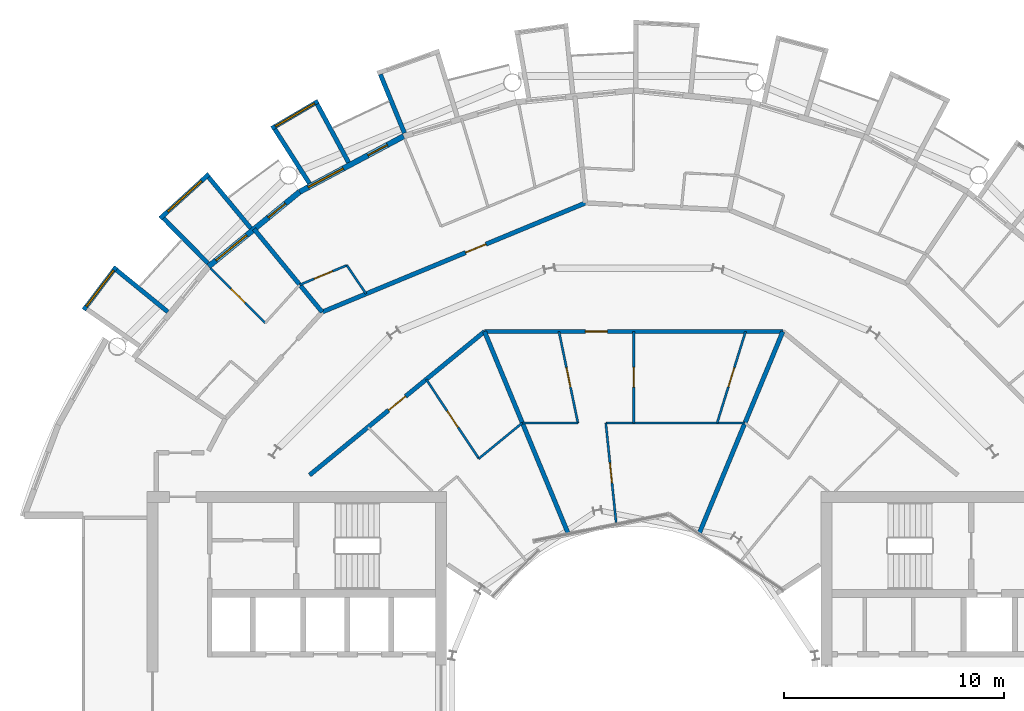
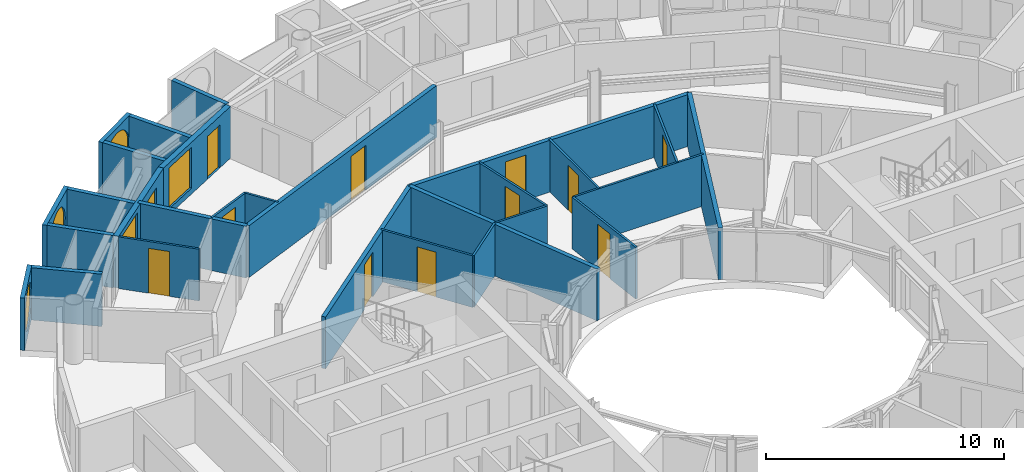
# One storey, part 20 of 26: 28 walls, 12 doors, 5 windows, 17 openings.
"""IFC4 building model written with IfcOpenShell, lengths in metres."""

import ifcopenshell
import ifcopenshell.guid

model = None  # the IFC model being written
_history = None  # IfcOwnerHistory: only IFC2X3 demands one
_inside = {}  # id of a spatial element -> (the spatial element, [elements in it])
_under = {}  # id of a project, library or spatial element -> (it, [spatial elements below it])
_declared = {}  # id of a project -> (the project, [libraries it declares])
_typed = {}  # id of a type object -> (the type object, [elements of that type])
_made_of = {}  # id of a material, layer set ... -> (it, [elements and type objects made of it])


def new_model(schema):
    """Start an empty IFC model of exactly this schema.

    Asked for "IFC4X3", IfcOpenShell would pick the latest addendum, in which some entities
    have other attributes; the version numbers below select the first issue.
    IFC2X3 requires an IfcOwnerHistory on every rooted entity: one is made here for all.
    """
    global model, _history
    if schema == "IFC4X3":
        model = ifcopenshell.file(schema_version=(4, 3, 0, 0))
    else:
        model = ifcopenshell.file(schema=schema)
    _inside.clear()
    _under.clear()
    _declared.clear()
    _typed.clear()
    _made_of.clear()
    _history = None
    if model.schema == "IFC2X3":
        org = make("IfcOrganization", Name="unknown")
        user = make(
            "IfcPersonAndOrganization",
            ThePerson=make("IfcPerson", FamilyName="unknown"),
            TheOrganization=org,
        )
        app = make(
            "IfcApplication",
            ApplicationDeveloper=org,
            Version="unknown",
            ApplicationFullName="unknown",
            ApplicationIdentifier="unknown",
        )
        _history = make(
            "IfcOwnerHistory",
            OwningUser=user,
            OwningApplication=app,
            ChangeAction="ADDED",
            CreationDate=0,
        )
    return model


def make(cls, **values):
    """One entity of the class cls with the attributes given. An attribute that is None is left unset."""
    return model.create_entity(
        cls, **{name: value for name, value in values.items() if value is not None}
    )


def rooted(cls, **values):
    """An entity with a GlobalId (a new one), such as an element, a storey or a relation."""
    return make(cls, GlobalId=ifcopenshell.guid.new(), OwnerHistory=_history, **values)


def si_unit(unit_type, name, prefix=None):
    """IfcSIUnit, for example si_unit("LENGTHUNIT", "METRE", prefix="MILLI")."""
    return make("IfcSIUnit", UnitType=unit_type, Prefix=prefix, Name=name)


def assignment(units):
    """IfcUnitAssignment: the units of a project."""
    return None if units is None else make("IfcUnitAssignment", Units=units)


def point(xyz):
    """IfcCartesianPoint."""
    return None if xyz is None else make("IfcCartesianPoint", Coordinates=xyz)


def direction(xyz):
    """IfcDirection."""
    return None if xyz is None else make("IfcDirection", DirectionRatios=xyz)


def frame(location, z_axis=None, x_axis=None):
    """IfcAxis2Placement3D, a coordinate frame: its origin and axes. An axis left out is left unset."""
    return make(
        "IfcAxis2Placement3D",
        Location=point(location),
        Axis=direction(z_axis),
        RefDirection=direction(x_axis),
    )


def frame_2d(location, x_axis=None):
    """IfcAxis2Placement2D, a coordinate frame in the plane: its origin and x axis."""
    return make(
        "IfcAxis2Placement2D", Location=point(location), RefDirection=direction(x_axis)
    )


def origin():
    """The frame at (0, 0, 0) with its axes left unset."""
    return frame((0.0, 0.0, 0.0))


def place(relative_to, where):
    """IfcLocalPlacement: puts the frame where relative to a parent placement (None: the world)."""
    return make(
        "IfcLocalPlacement", PlacementRelTo=relative_to, RelativePlacement=where
    )


def context(
    kind, dimensions, precision=None, world=None, true_north=None, identifier=None
):
    """IfcGeometricRepresentationContext, for example the 3D "Model" context."""
    return make(
        "IfcGeometricRepresentationContext",
        ContextIdentifier=identifier,
        ContextType=kind,
        CoordinateSpaceDimension=dimensions,
        Precision=precision,
        WorldCoordinateSystem=world,
        TrueNorth=true_north,
    )


def subcontext(parent, identifier, kind, view, scale=None):
    """IfcGeometricRepresentationSubContext, for example "Body" below "Model"."""
    return make(
        "IfcGeometricRepresentationSubContext",
        ContextIdentifier=identifier,
        ContextType=kind,
        ParentContext=parent,
        TargetScale=scale,
        TargetView=view,
    )


def project(units=None, contexts=None):
    """IfcProject with its units and contexts."""
    return rooted(
        "IfcProject",
        Name="project",
        RepresentationContexts=contexts,
        UnitsInContext=assignment(units),
    )


def spatial(cls, under=None, at=None, **own):
    """A site, building, storey or space (cls), placed at a placement, below another one or the project."""
    s = rooted(cls, ObjectPlacement=at, **own)
    if under is not None:
        _under.setdefault(under.id(), (under, []))[1].append(s)
    return s


def profile(cls, at=None, kind="AREA", **sizes):
    """A parametric profile (cls). Its sizes go by their IFC names, for example OverallWidth=200.0."""
    return make(cls, ProfileType=kind, Position=at, **sizes)


def rectangle(**sizes):
    """IfcRectangleProfileDef."""
    return profile("IfcRectangleProfileDef", **sizes)


def circle(**sizes):
    """IfcCircleProfileDef."""
    return profile("IfcCircleProfileDef", **sizes)


def extrude(swept, where, along, depth):
    """IfcExtrudedAreaSolid: the profile swept, set in the frame where, extruded along a direction by depth."""
    return make(
        "IfcExtrudedAreaSolid",
        SweptArea=swept,
        Position=where,
        ExtrudedDirection=direction(along),
        Depth=depth,
    )


def shape(context_of_items, identifier, shape_type, items):
    """IfcShapeRepresentation: the items that make up one representation, for example the "Body"."""
    return make(
        "IfcShapeRepresentation",
        ContextOfItems=context_of_items,
        RepresentationIdentifier=identifier,
        RepresentationType=shape_type,
        Items=items,
    )


def material(Name=None, Category=None):
    """IfcMaterial."""
    return make("IfcMaterial", Name=Name, Category=Category)


def layer(
    of_material, thickness, ventilated=None, Name=None, Category=None, Priority=None
):
    """IfcMaterialLayer: one layer of a wall or slab, of a material (None: an air gap)."""
    return make(
        "IfcMaterialLayer",
        Material=of_material,
        LayerThickness=thickness,
        IsVentilated=ventilated,
        Name=Name,
        Category=Category,
        Priority=Priority,
    )


def layer_set(layers, Name=None):
    """IfcMaterialLayerSet."""
    return make("IfcMaterialLayerSet", MaterialLayers=layers, LayerSetName=Name)


def made_of(thing, what):
    """Note that an element or type object is made of a material, layer set ...; save() writes the relation."""
    if what is not None:
        _made_of.setdefault(what.id(), (what, []))[1].append(thing)
    return thing


def type_object(cls, material=None, **own):
    """A type object (cls), such as IfcWallType, which elements share."""
    return made_of(rooted(cls, **own), material)


def element(
    cls,
    number,
    at=None,
    inside=None,
    cuts=None,
    type_object=None,
    material=None,
    context=None,
    identifier="Body",
    shape_type=None,
    held_by="IfcProductDefinitionShape",
    body=None,
    shapes=None,
    **own,
):
    """One element of the class cls, such as IfcWall. Its Tag is "e" and its number.

    at: its placement. inside: the storey or other place that contains it. cuts: it is an
    opening in that element (IfcRelVoidsElement). A single representation is given by context,
    identifier, shape_type and body (its items); several are given by shapes. held_by: the class
    of the entity that holds the representations. save() writes the other relations.
    """
    e = rooted(cls, Tag="e%d" % number, ObjectPlacement=at, **own)
    if body is not None:
        shapes = [shape(context, identifier, shape_type, body)]
    if shapes is not None:
        e.Representation = make(held_by, Representations=shapes)
    if inside is not None:
        _inside.setdefault(inside.id(), (inside, []))[1].append(e)
    if cuts is not None:
        rooted(
            "IfcRelVoidsElement", RelatingBuildingElement=cuts, RelatedOpeningElement=e
        )
    if type_object is not None:
        _typed.setdefault(type_object.id(), (type_object, []))[1].append(e)
    return made_of(e, material)


def fill(opening, filler):
    """IfcRelFillsElement: the door or window that sits in an opening."""
    return rooted(
        "IfcRelFillsElement",
        RelatingOpeningElement=opening,
        RelatedBuildingElement=filler,
    )


def aggregate(whole, parts):
    """IfcRelAggregates: a whole, such as a stair, and the parts it consists of."""
    return rooted("IfcRelAggregates", RelatingObject=whole, RelatedObjects=parts)


def save(model, path):
    """Write the relations noted so far, then the file.

    IfcRelAggregates (storeys below a building ...), IfcRelContainedInSpatialStructure (elements
    in a storey), IfcRelDefinesByType, IfcRelAssociatesMaterial and IfcRelDeclares: one each for
    every whole, place, type object, material and project.
    """
    for whole, parts in _under.values():
        aggregate(whole, parts)
    for where, things in _inside.values():
        rooted(
            "IfcRelContainedInSpatialStructure",
            RelatedElements=things,
            RelatingStructure=where,
        )
    for kind, things in _typed.values():
        rooted("IfcRelDefinesByType", RelatedObjects=things, RelatingType=kind)
    for what, things in _made_of.values():
        rooted("IfcRelAssociatesMaterial", RelatedObjects=things, RelatingMaterial=what)
    for by, libraries in _declared.values():
        rooted("IfcRelDeclares", RelatingContext=by, RelatedDefinitions=libraries)
    model.write(path)


model = new_model("IFC4")

# Units and contexts
model_context = context("Model", 3, precision=1e-05, world=origin(), true_north=direction((0.0, 1.0)))
body_context = subcontext(model_context, "Body", "Model", "MODEL_VIEW")
ifc_project = project(units=[si_unit("LENGTHUNIT", "METRE"), si_unit("AREAUNIT", "SQUARE_METRE"), si_unit("VOLUMEUNIT", "CUBIC_METRE"), si_unit("PLANEANGLEUNIT", "RADIAN"), si_unit("MASSUNIT", "GRAM", prefix="KILO")], contexts=[model_context])

# Site, building, storey
site_placement = place(None, origin())
site = spatial("IfcSite", under=ifc_project, at=site_placement, CompositionType="ELEMENT")
building_placement = place(site_placement, origin())
building = spatial("IfcBuilding", under=site, at=building_placement, Name="Maasbend Ring Residences", CompositionType="ELEMENT")
storey_placement = place(building_placement, frame((0.0, 0.0, 176.85009765625)))
storey = spatial("IfcBuildingStorey", under=building, at=storey_placement, Name="L51", CompositionType="ELEMENT", Elevation=176.85009765625)

# Wall, opening, door
ifc_material_1 = material(Name="Concrete C30/37", Category="concrete")
ifc_layer_1 = layer(ifc_material_1, 0.199951171875)
ifc_layer_set_1 = layer_set([ifc_layer_1], Name="Concrete C30/37")
wall_type_1 = type_object("IfcWallType", Name="CORRIDOR WALL 200 CONCRETE", PredefinedType="PARTITIONING", material=ifc_layer_set_1)
wall_1_placement = place(storey_placement, frame((-6.77294921875, 16.35302734375, 0.0), z_axis=(0.0, 0.0, 1.0), x_axis=(1.0, 0.0, 0.0)))
wall_1 = element("IfcWall", 1, at=wall_1_placement, inside=storey, type_object=wall_type_1, Name="U-L51-w104", PredefinedType="PARTITIONING", context=body_context, shape_type="SweptSolid", body=[
    extrude(rectangle(XDim=13.5458984375, YDim=0.199951171875, at=frame_2d((6.77294921875, 0.0))), origin(), (0.0, 0.0, 1.0), 2.64990234375),
])
opening_1_placement = place(wall_1_placement, frame((4.5791015625, 0.0, 0.0)))
opening_1 = element("IfcOpeningElement", 2, at=opening_1_placement, cuts=wall_1, Name="Opening D-5124", PredefinedType="OPENING", context=body_context, shape_type="SweptSolid", body=[
    extrude(rectangle(XDim=1.0, YDim=2.300048828125, at=frame_2d((0.5, 1.14990234375))), frame((0.0, 0.10986328125, 0.0), z_axis=(0.0, -1.0, 0.0), x_axis=(1.0, 0.0, 0.0)), (0.0, 0.0, 1.0), 0.219970703125),
])
ifc_material_2 = material(Name="Timber, fire-rated, painted", Category="wood")
door_type_1 = type_object("IfcDoorType", Name="FLAT ENTRANCE DOOR 1000 X 2300 FIRE-RATED", OperationType="NOTDEFINED", PredefinedType="DOOR", material=ifc_material_2)
door_1_placement = place(opening_1_placement, origin())
door_1 = element("IfcDoor", 3, at=door_1_placement, inside=storey, type_object=door_type_1, Name="D-5124", OperationType="SINGLE_SWING_LEFT", OverallHeight=2.300048828125, OverallWidth=1.0, PredefinedType="DOOR", context=body_context, shape_type="SweptSolid", body=[
    extrude(rectangle(XDim=1.0, YDim=2.300048828125, at=frame_2d((0.5, 1.14990234375))), frame((0.0, 0.02490234375, 0.0), z_axis=(0.0, -1.0, 0.0), x_axis=(1.0, 0.0, 0.0)), (0.0, 0.0, 1.0), 0.050048828125),
])
fill(opening_1, door_1)

wall_2_placement = place(storey_placement, frame((-14.717041015625, 9.833984375, 0.0), z_axis=(0.0, 0.0, 1.0), x_axis=(0.773034536097, 0.634363938131, 0.0)))
wall_2 = element("IfcWall", 4, at=wall_2_placement, inside=storey, type_object=wall_type_1, Name="U-L51-w105", PredefinedType="PARTITIONING", context=body_context, shape_type="SweptSolid", body=[
    extrude(rectangle(XDim=10.276611328125, YDim=0.199951171875, at=frame_2d((5.13818359375, 0.0))), origin(), (0.0, 0.0, 1.0), 2.64990234375),
])
opening_2_placement = place(wall_2_placement, frame((4.637939453125, 0.0, 0.0)))
opening_2 = element("IfcOpeningElement", 5, at=opening_2_placement, cuts=wall_2, Name="Opening D-5129", PredefinedType="OPENING", context=body_context, shape_type="SweptSolid", body=[
    extrude(rectangle(XDim=1.0, YDim=2.300048828125, at=frame_2d((0.5, 1.14990234375))), frame((0.0, 0.10986328125, 0.0), z_axis=(0.0, -1.0, 0.0), x_axis=(1.0, 0.0, 0.0)), (0.0, 0.0, 1.0), 0.219970703125),
])
door_2_placement = place(opening_2_placement, origin())
door_2 = element("IfcDoor", 6, at=door_2_placement, inside=storey, type_object=door_type_1, Name="D-5129", OperationType="SINGLE_SWING_LEFT", OverallHeight=2.300048828125, OverallWidth=1.0, PredefinedType="DOOR", context=body_context, shape_type="SweptSolid", body=[
    extrude(rectangle(XDim=1.0, YDim=2.300048828125, at=frame_2d((0.5, 1.14990234375))), frame((0.0, 0.02490234375, 0.0), z_axis=(0.0, -1.0, 0.0), x_axis=(1.0, 0.0, 0.0)), (0.0, 0.0, 1.0), 0.050048828125),
])
fill(opening_2, door_2)

wall_3_placement = place(storey_placement, frame((-14.14697265625, 17.238037109375, 0.0), z_axis=(0.0, 0.0, 1.0), x_axis=(0.923860535822, 0.382729291212, 0.0)))
wall_3 = element("IfcWall", 7, at=wall_3_placement, inside=storey, type_object=wall_type_1, Name="U-L51-w107", PredefinedType="PARTITIONING", context=body_context, shape_type="SweptSolid", body=[
    extrude(rectangle(XDim=12.94677734375, YDim=0.199951171875, at=frame_2d((6.473388671875, 0.0))), origin(), (0.0, 0.0, 1.0), 2.64990234375),
])
opening_3_placement = place(wall_3_placement, frame((7.052978515625, 0.0, 0.0)))
opening_3 = element("IfcOpeningElement", 8, at=opening_3_placement, cuts=wall_3, Name="Opening D-5112", PredefinedType="OPENING", context=body_context, shape_type="SweptSolid", body=[
    extrude(rectangle(XDim=1.0, YDim=2.300048828125, at=frame_2d((0.5, 1.14990234375))), frame((0.0, 0.10986328125, 0.0), z_axis=(0.0, -1.0, 0.0), x_axis=(1.0, 0.0, 0.0)), (0.0, 0.0, 1.0), 0.219970703125),
])
door_3_placement = place(opening_3_placement, origin())
door_3 = element("IfcDoor", 9, at=door_3_placement, inside=storey, type_object=door_type_1, Name="D-5112", OperationType="SINGLE_SWING_RIGHT", OverallHeight=2.300048828125, OverallWidth=1.0, PredefinedType="DOOR", context=body_context, shape_type="SweptSolid", body=[
    extrude(rectangle(XDim=1.0, YDim=2.300048828125, at=frame_2d((0.5, 1.14990234375))), frame((0.0, 0.02490234375, 0.0), z_axis=(0.0, -1.0, 0.0), x_axis=(1.0, 0.0, 0.0)), (0.0, 0.0, 1.0), 0.050048828125),
])
fill(opening_3, door_3)

# Wall
ifc_material_3 = material(Name="Pale anodised aluminium panel", Category="aluminium")
ifc_layer_2 = layer(ifc_material_3, 0.199951171875)
ifc_layer_set_2 = layer_set([ifc_layer_2], Name="EW-BOX")
wall_type_2 = type_object("IfcWallType", Name="EW-BOX", PredefinedType="SOLIDWALL", material=ifc_layer_set_2)
wall_4_placement = place(storey_placement, frame((-10.408935546875, 25.364013671875, -0.030029296875), z_axis=(0.0, 0.0, 1.0), x_axis=(-0.379509886562, 0.925187681501, 0.0)))
element("IfcWall", 10, at=wall_4_placement, inside=storey, type_object=wall_type_2, Name="Box side wall N14 right", PredefinedType="SOLIDWALL", context=body_context, shape_type="SweptSolid", body=[
    extrude(rectangle(XDim=2.882568359375, YDim=0.199951171875, at=frame_2d((1.44140625, 0.0))), origin(), (0.0, 0.0, 1.0), 2.679931640625),
])

# Wall, opening, window
wall_5_placement = place(storey_placement, frame((-14.326904296875, 26.81201171875, -0.030029296875), z_axis=(0.0, 0.0, 1.0), x_axis=(-0.862403467503, -0.506221551535, 0.0)))
wall_5 = element("IfcWall", 11, at=wall_5_placement, inside=storey, type_object=wall_type_2, Name="Box front N16", PredefinedType="SOLIDWALL", context=body_context, shape_type="SweptSolid", body=[
    extrude(rectangle(XDim=2.445556640625, YDim=0.199951171875, at=frame_2d((1.22265625, 0.0))), origin(), (0.0, 0.0, 1.0), 2.679931640625),
])
opening_4_placement = place(wall_5_placement, frame((0.182861328125, 0.0, 0.330078125)))
opening_4 = element("IfcOpeningElement", 12, at=opening_4_placement, cuts=wall_5, Name="Opening W-RD", PredefinedType="OPENING", context=body_context, shape_type="SweptSolid", body=[
    extrude(circle(Radius=1.0400390625, at=frame_2d((1.0400390625, 1.0400390625))), frame((0.0, 0.10986328125, 0.0), z_axis=(0.0, -1.0, 0.0), x_axis=(1.0, 0.0, 0.0)), (0.0, 0.0, 1.0), 0.219970703125),
])
ifc_material_4 = material(Name="Aluminium and clear glass", Category="aluminium")
window_type_1 = type_object("IfcWindowType", Name="W-RD", PartitioningType="SINGLE_PANEL", PredefinedType="WINDOW", material=ifc_material_4)
window_1_placement = place(opening_4_placement, origin())
window_1 = element("IfcWindow", 13, at=window_1_placement, inside=storey, type_object=window_type_1, Name="Round window N16", OverallHeight=2.080078125, OverallWidth=2.080078125, PartitioningType="SINGLE_PANEL", PredefinedType="WINDOW", context=body_context, shape_type="SweptSolid", body=[
    extrude(circle(Radius=1.0400390625, at=frame_2d((1.0400390625, 1.0400390625))), frame((0.0, 0.030029296875, 0.0), z_axis=(0.0, -1.0, 0.0), x_axis=(1.0, 0.0, 0.0)), (0.0, 0.0, 1.0), 0.06005859375),
])
fill(opening_4, window_1)

# Walls
wall_6_placement = place(storey_placement, frame((-12.945068359375, 24.029052734375, -0.030029296875), z_axis=(0.0, 0.0, 1.0), x_axis=(-0.474424310775, 0.88029629861, 0.0)))
element("IfcWall", 14, at=wall_6_placement, inside=storey, type_object=wall_type_2, Name="Box side wall N16 left", PredefinedType="SOLIDWALL", context=body_context, shape_type="SweptSolid", body=[
    extrude(rectangle(XDim=3.005859375, YDim=0.199951171875, at=frame_2d((1.5029296875, 0.0))), origin(), (0.0, 0.0, 1.0), 2.679931640625),
])
wall_7_placement = place(storey_placement, frame((-14.721923828125, 23.0791015625, -0.030029296875), z_axis=(0.0, 0.0, 1.0), x_axis=(-0.537572179146, 0.843217737129, 0.0)))
element("IfcWall", 15, at=wall_7_placement, inside=storey, type_object=wall_type_2, Name="Box side wall N16 right", PredefinedType="SOLIDWALL", context=body_context, shape_type="SweptSolid", body=[
    extrude(rectangle(XDim=2.92431640625, YDim=0.199951171875, at=frame_2d((1.462158203125, 0.0))), origin(), (0.0, 0.0, 1.0), 2.679931640625),
])

# Wall, opening, window
wall_8_placement = place(storey_placement, frame((-19.281982421875, 23.5029296875, -0.030029296875), z_axis=(0.0, 0.0, 1.0), x_axis=(-0.740998365753, -0.671506829416, 0.0)))
wall_8 = element("IfcWall", 16, at=wall_8_placement, inside=storey, type_object=wall_type_2, Name="Box front N18", PredefinedType="SOLIDWALL", context=body_context, shape_type="SweptSolid", body=[
    extrude(rectangle(XDim=2.9931640625, YDim=0.199951171875, at=frame_2d((1.49658203125, 0.0))), origin(), (0.0, 0.0, 1.0), 2.679931640625),
])
opening_5_placement = place(wall_8_placement, frame((0.45654296875, 0.0, 0.330078125)))
opening_5 = element("IfcOpeningElement", 17, at=opening_5_placement, cuts=wall_8, Name="Opening W-RD", PredefinedType="OPENING", context=body_context, shape_type="SweptSolid", body=[
    extrude(circle(Radius=1.0400390625, at=frame_2d((1.0400390625, 1.0400390625))), frame((0.0, 0.10986328125, 0.0), z_axis=(0.0, -1.0, 0.0), x_axis=(1.0, 0.0, 0.0)), (0.0, 0.0, 1.0), 0.219970703125),
])
window_2_placement = place(opening_5_placement, origin())
window_2 = element("IfcWindow", 18, at=window_2_placement, inside=storey, type_object=window_type_1, Name="Round window N18", OverallHeight=2.080078125, OverallWidth=2.080078125, PartitioningType="SINGLE_PANEL", PredefinedType="WINDOW", context=body_context, shape_type="SweptSolid", body=[
    extrude(circle(Radius=1.0400390625, at=frame_2d((1.0400390625, 1.0400390625))), frame((0.0, 0.030029296875, 0.0), z_axis=(0.0, -1.0, 0.0), x_axis=(1.0, 0.0, 0.0)), (0.0, 0.0, 1.0), 0.06005859375),
])
fill(opening_5, window_2)

# Walls
wall_9_placement = place(storey_placement, frame((-17.384033203125, 21.041015625, -0.030029296875), z_axis=(0.0, 0.0, 1.0), x_axis=(-0.63709551667, 0.770784861449, 0.0)))
element("IfcWall", 19, at=wall_9_placement, inside=storey, type_object=wall_type_2, Name="Box side wall N18 left", PredefinedType="SOLIDWALL", context=body_context, shape_type="SweptSolid", body=[
    extrude(rectangle(XDim=3.005859375, YDim=0.199951171875, at=frame_2d((1.5029296875, 0.0))), origin(), (0.0, 0.0, 1.0), 2.679931640625),
])
wall_10_placement = place(storey_placement, frame((-19.322998046875, 19.449951171875, -0.030029296875), z_axis=(0.0, 0.0, 1.0), x_axis=(-0.704476739375, 0.709727076896, 0.0)))
element("IfcWall", 20, at=wall_10_placement, inside=storey, type_object=wall_type_2, Name="Box side wall N18 right", PredefinedType="SOLIDWALL", context=body_context, shape_type="SweptSolid", body=[
    extrude(rectangle(XDim=2.883056640625, YDim=0.199951171875, at=frame_2d((1.44140625, 0.0))), origin(), (0.0, 0.0, 1.0), 2.679931640625),
])

# Wall, opening, window
wall_11_placement = place(storey_placement, frame((-23.4970703125, 19.2890625, -0.030029296875), z_axis=(0.0, 0.0, 1.0), x_axis=(-0.602806268067, -0.797887588059, 0.0)))
wall_11 = element("IfcWall", 21, at=wall_11_placement, inside=storey, type_object=wall_type_2, Name="Box front N20", PredefinedType="SOLIDWALL", context=body_context, shape_type="SweptSolid", body=[
    extrude(rectangle(XDim=2.446533203125, YDim=0.199951171875, at=frame_2d((1.22314453125, 0.0))), origin(), (0.0, 0.0, 1.0), 2.679931640625),
])
opening_6_placement = place(wall_11_placement, frame((0.182861328125, 0.0, 0.330078125)))
opening_6 = element("IfcOpeningElement", 22, at=opening_6_placement, cuts=wall_11, Name="Opening W-RD", PredefinedType="OPENING", context=body_context, shape_type="SweptSolid", body=[
    extrude(circle(Radius=1.0400390625, at=frame_2d((1.0400390625, 1.0400390625))), frame((0.0, 0.10986328125, 0.0), z_axis=(0.0, -1.0, 0.0), x_axis=(1.0, 0.0, 0.0)), (0.0, 0.0, 1.0), 0.219970703125),
])
window_3_placement = place(opening_6_placement, origin())
window_3 = element("IfcWindow", 23, at=window_3_placement, inside=storey, type_object=window_type_1, Name="Round window N20", OverallHeight=2.080078125, OverallWidth=2.080078125, PartitioningType="SINGLE_PANEL", PredefinedType="WINDOW", context=body_context, shape_type="SweptSolid", body=[
    extrude(circle(Radius=1.0400390625, at=frame_2d((1.0400390625, 1.0400390625))), frame((0.0, 0.030029296875, 0.0), z_axis=(0.0, -1.0, 0.0), x_axis=(1.0, 0.0, 0.0)), (0.0, 0.0, 1.0), 0.06005859375),
])
fill(opening_6, window_3)

# Wall
wall_12_placement = place(storey_placement, frame((-21.155029296875, 17.24609375, -0.030029296875), z_axis=(0.0, 0.0, 1.0), x_axis=(-0.775179004516, 0.631741648902, 0.0)))
element("IfcWall", 24, at=wall_12_placement, inside=storey, type_object=wall_type_2, Name="Box side wall N20 left", PredefinedType="SOLIDWALL", context=body_context, shape_type="SweptSolid", body=[
    extrude(rectangle(XDim=3.005859375, YDim=0.199951171875, at=frame_2d((1.5029296875, 0.0))), origin(), (0.0, 0.0, 1.0), 2.679931640625),
])

# Wall, openings, door, window
ifc_material_5 = material(Name="Aluminium clad insulated panel", Category="aluminium")
ifc_layer_3 = layer(ifc_material_5, 0.25)
ifc_layer_set_3 = layer_set([ifc_layer_3], Name="EW-GL")
wall_type_3 = type_object("IfcWallType", Name="EW-GL", PredefinedType="SOLIDWALL", material=ifc_layer_set_3)
wall_13_placement = place(storey_placement, frame((-10.447021484375, 25.221923828125, 0.0), z_axis=(0.0, 0.0, 1.0), x_axis=(-0.881915646801, -0.471407246368, 0.0)))
wall_13 = element("IfcWall", 25, at=wall_13_placement, inside=storey, type_object=wall_type_3, Name="External wall N08", PredefinedType="SOLIDWALL", context=body_context, shape_type="SweptSolid", body=[
    extrude(rectangle(XDim=5.35205078125, YDim=0.25, at=frame_2d((2.676025390625, 0.0))), origin(), (0.0, 0.0, 1.0), 2.64990234375),
])
opening_7_placement = place(wall_13_placement, frame((0.841064453125, 0.0, 0.0)))
opening_7 = element("IfcOpeningElement", 26, at=opening_7_placement, cuts=wall_13, Name="Opening D-LG", PredefinedType="OPENING", context=body_context, shape_type="SweptSolid", body=[
    extrude(rectangle(XDim=1.0, YDim=2.199951171875, at=frame_2d((0.5, 1.10009765625))), frame((0.0, 0.135009765625, 0.0), z_axis=(0.0, -1.0, 0.0), x_axis=(1.0, 0.0, 0.0)), (0.0, 0.0, 1.0), 0.27001953125),
])
opening_8_placement = place(wall_13_placement, frame((3.110595703125, 0.0, 0.300048828125)))
opening_8 = element("IfcOpeningElement", 27, at=opening_8_placement, cuts=wall_13, Name="Opening W-BX", PredefinedType="OPENING", context=body_context, shape_type="SweptSolid", body=[
    extrude(rectangle(XDim=1.800048828125, YDim=2.10009765625, at=frame_2d((0.89990234375, 1.050048828125))), frame((0.0, 0.135009765625, 0.0), z_axis=(0.0, -1.0, 0.0), x_axis=(1.0, 0.0, 0.0)), (0.0, 0.0, 1.0), 0.27001953125),
])
ifc_material_6 = material(Name="Aluminium and clear glass", Category="aluminium")
door_type_2 = type_object("IfcDoorType", Name="D-LG", OperationType="SINGLE_SWING_LEFT", PredefinedType="DOOR", material=ifc_material_6)
door_4_placement = place(opening_7_placement, origin())
door_4 = element("IfcDoor", 28, at=door_4_placement, inside=storey, type_object=door_type_2, Name="Loggia door N15", OperationType="SINGLE_SWING_LEFT", OverallHeight=2.199951171875, OverallWidth=1.0, PredefinedType="DOOR", context=body_context, shape_type="SweptSolid", body=[
    extrude(rectangle(XDim=1.0, YDim=2.199951171875, at=frame_2d((0.5, 1.10009765625))), frame((0.0, 0.02490234375, 0.0), z_axis=(0.0, -1.0, 0.0), x_axis=(1.0, 0.0, 0.0)), (0.0, 0.0, 1.0), 0.050048828125),
])
fill(opening_7, door_4)
ifc_material_7 = material(Name="Aluminium and clear glass", Category="aluminium")
window_type_2 = type_object("IfcWindowType", Name="W-BX", PartitioningType="DOUBLE_PANEL_VERTICAL", PredefinedType="WINDOW", material=ifc_material_7)
window_4_placement = place(opening_8_placement, origin())
window_4 = element("IfcWindow", 29, at=window_4_placement, inside=storey, type_object=window_type_2, Name="Window N16 room to box", OverallHeight=2.10009765625, OverallWidth=1.800048828125, PartitioningType="SINGLE_PANEL", PredefinedType="WINDOW", context=body_context, shape_type="SweptSolid", body=[
    extrude(rectangle(XDim=1.800048828125, YDim=2.10009765625, at=frame_2d((0.89990234375, 1.050048828125))), frame((0.0, 0.030029296875, 0.0), z_axis=(0.0, -1.0, 0.0), x_axis=(1.0, 0.0, 0.0)), (0.0, 0.0, 1.0), 0.06005859375),
])
fill(opening_8, window_4)

wall_14_placement = place(storey_placement, frame((-15.1669921875, 22.698974609375, 0.0), z_axis=(0.0, 0.0, 1.0), x_axis=(-0.773019449054, -0.634382322723, 0.0)))
wall_14 = element("IfcWall", 30, at=wall_14_placement, inside=storey, type_object=wall_type_3, Name="External wall N09", PredefinedType="SOLIDWALL", context=body_context, shape_type="SweptSolid", body=[
    extrude(rectangle(XDim=5.351806640625, YDim=0.25, at=frame_2d((2.67578125, 0.0))), origin(), (0.0, 0.0, 1.0), 2.64990234375),
])
opening_9_placement = place(wall_14_placement, frame((0.841064453125, 0.0, 0.0)))
opening_9 = element("IfcOpeningElement", 31, at=opening_9_placement, cuts=wall_14, Name="Opening D-LG", PredefinedType="OPENING", context=body_context, shape_type="SweptSolid", body=[
    extrude(rectangle(XDim=1.0, YDim=2.199951171875, at=frame_2d((0.5, 1.10009765625))), frame((0.0, 0.135009765625, 0.0), z_axis=(0.0, -1.0, 0.0), x_axis=(1.0, 0.0, 0.0)), (0.0, 0.0, 1.0), 0.27001953125),
])
opening_10_placement = place(wall_14_placement, frame((3.110595703125, 0.0, 0.300048828125)))
opening_10 = element("IfcOpeningElement", 32, at=opening_10_placement, cuts=wall_14, Name="Opening W-BX", PredefinedType="OPENING", context=body_context, shape_type="SweptSolid", body=[
    extrude(rectangle(XDim=1.800048828125, YDim=2.10009765625, at=frame_2d((0.89990234375, 1.050048828125))), frame((0.0, 0.135009765625, 0.0), z_axis=(0.0, -1.0, 0.0), x_axis=(1.0, 0.0, 0.0)), (0.0, 0.0, 1.0), 0.27001953125),
])
door_5_placement = place(opening_9_placement, origin())
door_5 = element("IfcDoor", 33, at=door_5_placement, inside=storey, type_object=door_type_2, Name="Loggia door N17", OperationType="SINGLE_SWING_LEFT", OverallHeight=2.199951171875, OverallWidth=1.0, PredefinedType="DOOR", context=body_context, shape_type="SweptSolid", body=[
    extrude(rectangle(XDim=1.0, YDim=2.199951171875, at=frame_2d((0.5, 1.10009765625))), frame((0.0, 0.02490234375, 0.0), z_axis=(0.0, -1.0, 0.0), x_axis=(1.0, 0.0, 0.0)), (0.0, 0.0, 1.0), 0.050048828125),
])
fill(opening_9, door_5)
window_5_placement = place(opening_10_placement, origin())
window_5 = element("IfcWindow", 34, at=window_5_placement, inside=storey, type_object=window_type_2, Name="Window N18 room to box", OverallHeight=2.10009765625, OverallWidth=1.800048828125, PartitioningType="SINGLE_PANEL", PredefinedType="WINDOW", context=body_context, shape_type="SweptSolid", body=[
    extrude(rectangle(XDim=1.800048828125, YDim=2.10009765625, at=frame_2d((0.89990234375, 1.050048828125))), frame((0.0, 0.030029296875, 0.0), z_axis=(0.0, -1.0, 0.0), x_axis=(1.0, 0.0, 0.0)), (0.0, 0.0, 1.0), 0.06005859375),
])
fill(opening_10, window_5)

# Wall, opening, door
ifc_material_8 = material(Name="Gypsum board on steel studs", Category="steel")
ifc_layer_4 = layer(ifc_material_8, 0.10009765625)
ifc_layer_set_4 = layer_set([ifc_layer_4], Name="PARTITION 100 GYPSUM")
wall_type_4 = type_object("IfcWallType", Name="PARTITION 100 GYPSUM", PredefinedType="PARTITIONING", material=ifc_layer_set_4)
wall_15_placement = place(storey_placement, frame((-19.2099609375, 19.221923828125, 0.0), z_axis=(0.0, 0.0, 1.0), x_axis=(0.706967463531, -0.707246071398, 0.0)))
wall_15 = element("IfcWall", 35, at=wall_15_placement, inside=storey, type_object=wall_type_4, Name="U-L51-w036", PredefinedType="PARTITIONING", context=body_context, shape_type="SweptSolid", body=[
    extrude(rectangle(XDim=3.505126953125, YDim=0.10009765625, at=frame_2d((1.75244140625, 0.0))), origin(), (0.0, 0.0, 1.0), 2.64990234375),
])
opening_11_placement = place(wall_15_placement, frame((1.302978515625, 0.0, 0.0)))
opening_11 = element("IfcOpeningElement", 36, at=opening_11_placement, cuts=wall_15, Name="Opening D-5119", PredefinedType="OPENING", context=body_context, shape_type="SweptSolid", body=[
    extrude(rectangle(XDim=0.89990234375, YDim=2.300048828125, at=frame_2d((0.449951171875, 1.14990234375))), frame((0.0, 0.06005859375, 0.0), z_axis=(0.0, -1.0, 0.0), x_axis=(1.0, 0.0, 0.0)), (0.0, 0.0, 1.0), 0.1201171875),
])
ifc_material_9 = material(Name="Timber, painted", Category="wood")
door_type_3 = type_object("IfcDoorType", Name="INTERNAL DOOR 900 X 2300", OperationType="NOTDEFINED", PredefinedType="DOOR", material=ifc_material_9)
door_6_placement = place(opening_11_placement, origin())
door_6 = element("IfcDoor", 37, at=door_6_placement, inside=storey, type_object=door_type_3, Name="D-5119", OperationType="SINGLE_SWING_LEFT", OverallHeight=2.300048828125, OverallWidth=0.89990234375, PredefinedType="DOOR", context=body_context, shape_type="SweptSolid", body=[
    extrude(rectangle(XDim=0.89990234375, YDim=2.300048828125, at=frame_2d((0.449951171875, 1.14990234375))), frame((0.0, 0.02490234375, 0.0), z_axis=(0.0, -1.0, 0.0), x_axis=(1.0, 0.0, 0.0)), (0.0, 0.0, 1.0), 0.050048828125),
])
fill(opening_11, door_6)

# Wall
wall_16_placement = place(storey_placement, frame((-13.02490234375, 19.360107421875, 0.0), z_axis=(0.0, 0.0, 1.0), x_axis=(0.558121913892, -0.829758958514, 0.0)))
element("IfcWall", 38, at=wall_16_placement, inside=storey, type_object=wall_type_4, Name="U-L51-w041", PredefinedType="PARTITIONING", context=body_context, shape_type="SweptSolid", body=[
    extrude(rectangle(XDim=1.56201171875, YDim=0.10009765625, at=frame_2d((0.781005859375, 0.0))), origin(), (0.0, 0.0, 1.0), 2.64990234375),
])

# Wall, opening, door
wall_17_placement = place(storey_placement, frame((-9.4208984375, 14.179931640625, 0.0), z_axis=(0.0, 0.0, 1.0), x_axis=(0.553303732327, -0.832979579457, 0.0)))
wall_17 = element("IfcWall", 39, at=wall_17_placement, inside=storey, type_object=wall_type_4, Name="U-L51-w046", PredefinedType="PARTITIONING", context=body_context, shape_type="SweptSolid", body=[
    extrude(rectangle(XDim=4.3193359375, YDim=0.10009765625, at=frame_2d((2.15966796875, 0.0))), origin(), (0.0, 0.0, 1.0), 2.64990234375),
])
opening_12_placement = place(wall_17_placement, frame((1.7099609375, 0.0, 0.0)))
opening_12 = element("IfcOpeningElement", 40, at=opening_12_placement, cuts=wall_17, Name="Opening D-5130", PredefinedType="OPENING", context=body_context, shape_type="SweptSolid", body=[
    extrude(rectangle(XDim=0.89990234375, YDim=2.300048828125, at=frame_2d((0.449951171875, 1.14990234375))), frame((0.0, 0.06005859375, 0.0), z_axis=(0.0, -1.0, 0.0), x_axis=(1.0, 0.0, 0.0)), (0.0, 0.0, 1.0), 0.1201171875),
])
door_7_placement = place(opening_12_placement, origin())
door_7 = element("IfcDoor", 41, at=door_7_placement, inside=storey, type_object=door_type_3, Name="D-5130", OperationType="SINGLE_SWING_RIGHT", OverallHeight=2.300048828125, OverallWidth=0.89990234375, PredefinedType="DOOR", context=body_context, shape_type="SweptSolid", body=[
    extrude(rectangle(XDim=0.89990234375, YDim=2.300048828125, at=frame_2d((0.449951171875, 1.14990234375))), frame((0.0, 0.02490234375, 0.0), z_axis=(0.0, -1.0, 0.0), x_axis=(1.0, 0.0, 0.0)), (0.0, 0.0, 1.0), 0.050048828125),
])
fill(opening_12, door_7)

wall_18_placement = place(storey_placement, frame((-3.39208984375, 16.35205078125, 0.0), z_axis=(0.0, 0.0, 1.0), x_axis=(0.202980913894, -0.979182694187, 0.0)))
wall_18 = element("IfcWall", 42, at=wall_18_placement, inside=storey, type_object=wall_type_4, Name="U-L51-w056", PredefinedType="PARTITIONING", context=body_context, shape_type="SweptSolid", body=[
    extrude(rectangle(XDim=4.2373046875, YDim=0.10009765625, at=frame_2d((2.11865234375, 0.0))), origin(), (0.0, 0.0, 1.0), 2.64990234375),
])
opening_13_placement = place(wall_18_placement, frame((1.6689453125, 0.0, 0.0)))
opening_13 = element("IfcOpeningElement", 43, at=opening_13_placement, cuts=wall_18, Name="Opening D-5125", PredefinedType="OPENING", context=body_context, shape_type="SweptSolid", body=[
    extrude(rectangle(XDim=0.89990234375, YDim=2.300048828125, at=frame_2d((0.449951171875, 1.14990234375))), frame((0.0, 0.06005859375, 0.0), z_axis=(0.0, -1.0, 0.0), x_axis=(1.0, 0.0, 0.0)), (0.0, 0.0, 1.0), 0.1201171875),
])
door_8_placement = place(opening_13_placement, origin())
door_8 = element("IfcDoor", 44, at=door_8_placement, inside=storey, type_object=door_type_3, Name="D-5125", OperationType="SINGLE_SWING_RIGHT", OverallHeight=2.300048828125, OverallWidth=0.89990234375, PredefinedType="DOOR", context=body_context, shape_type="SweptSolid", body=[
    extrude(rectangle(XDim=0.89990234375, YDim=2.300048828125, at=frame_2d((0.449951171875, 1.14990234375))), frame((0.0, 0.02490234375, 0.0), z_axis=(0.0, -1.0, 0.0), x_axis=(1.0, 0.0, 0.0)), (0.0, 0.0, 1.0), 0.050048828125),
])
fill(opening_13, door_8)

wall_19_placement = place(storey_placement, frame((-1.26611328125, 12.2041015625, 0.0), z_axis=(0.0, 0.0, 1.0), x_axis=(0.103089563582, -0.994672077561, 0.0)))
wall_19 = element("IfcWall", 45, at=wall_19_placement, inside=storey, type_object=wall_type_4, Name="U-L51-w059", PredefinedType="PARTITIONING", context=body_context, shape_type="SweptSolid", body=[
    extrude(rectangle(XDim=4.54931640625, YDim=0.10009765625, at=frame_2d((2.274658203125, 0.0))), origin(), (0.0, 0.0, 1.0), 2.64990234375),
])
opening_14_placement = place(wall_19_placement, frame((1.824951171875, 0.0, 0.0)))
opening_14 = element("IfcOpeningElement", 46, at=opening_14_placement, cuts=wall_19, Name="Opening D-5128", PredefinedType="OPENING", context=body_context, shape_type="SweptSolid", body=[
    extrude(rectangle(XDim=0.89990234375, YDim=2.300048828125, at=frame_2d((0.449951171875, 1.14990234375))), frame((0.0, 0.06005859375, 0.0), z_axis=(0.0, -1.0, 0.0), x_axis=(1.0, 0.0, 0.0)), (0.0, 0.0, 1.0), 0.1201171875),
])
door_9_placement = place(opening_14_placement, origin())
door_9 = element("IfcDoor", 47, at=door_9_placement, inside=storey, type_object=door_type_3, Name="D-5128", OperationType="SINGLE_SWING_RIGHT", OverallHeight=2.300048828125, OverallWidth=0.89990234375, PredefinedType="DOOR", context=body_context, shape_type="SweptSolid", body=[
    extrude(rectangle(XDim=0.89990234375, YDim=2.300048828125, at=frame_2d((0.449951171875, 1.14990234375))), frame((0.0, 0.02490234375, 0.0), z_axis=(0.0, -1.0, 0.0), x_axis=(1.0, 0.0, 0.0)), (0.0, 0.0, 1.0), 0.050048828125),
])
fill(opening_14, door_9)

wall_20_placement = place(storey_placement, frame((0.0, 12.2041015625, 0.0), z_axis=(0.0, 0.0, 1.0), x_axis=(0.0, 1.0, 0.0)))
wall_20 = element("IfcWall", 48, at=wall_20_placement, inside=storey, type_object=wall_type_4, Name="U-L51-w062", PredefinedType="PARTITIONING", context=body_context, shape_type="SweptSolid", body=[
    extrude(rectangle(XDim=4.14892578125, YDim=0.10009765625, at=frame_2d((2.074462890625, 0.0))), origin(), (0.0, 0.0, 1.0), 2.64990234375),
])
opening_15_placement = place(wall_20_placement, frame((1.625, 0.0, 0.0)))
opening_15 = element("IfcOpeningElement", 49, at=opening_15_placement, cuts=wall_20, Name="Opening D-5126", PredefinedType="OPENING", context=body_context, shape_type="SweptSolid", body=[
    extrude(rectangle(XDim=0.89990234375, YDim=2.300048828125, at=frame_2d((0.449951171875, 1.14990234375))), frame((0.0, 0.06005859375, 0.0), z_axis=(0.0, -1.0, 0.0), x_axis=(1.0, 0.0, 0.0)), (0.0, 0.0, 1.0), 0.1201171875),
])
door_10_placement = place(opening_15_placement, origin())
door_10 = element("IfcDoor", 50, at=door_10_placement, inside=storey, type_object=door_type_3, Name="D-5126", OperationType="SINGLE_SWING_RIGHT", OverallHeight=2.300048828125, OverallWidth=0.89990234375, PredefinedType="DOOR", context=body_context, shape_type="SweptSolid", body=[
    extrude(rectangle(XDim=0.89990234375, YDim=2.300048828125, at=frame_2d((0.449951171875, 1.14990234375))), frame((0.0, 0.02490234375, 0.0), z_axis=(0.0, -1.0, 0.0), x_axis=(1.0, 0.0, 0.0)), (0.0, 0.0, 1.0), 0.050048828125),
])
fill(opening_15, door_10)

wall_21_placement = place(storey_placement, frame((3.7919921875, 12.2041015625, 0.0), z_axis=(0.0, 0.0, 1.0), x_axis=(0.29670674532, 0.954968642041, 0.0)))
wall_21 = element("IfcWall", 51, at=wall_21_placement, inside=storey, type_object=wall_type_4, Name="U-L51-w070", PredefinedType="PARTITIONING", context=body_context, shape_type="SweptSolid", body=[
    extrude(rectangle(XDim=4.344482421875, YDim=0.10009765625, at=frame_2d((2.17236328125, 0.0))), origin(), (0.0, 0.0, 1.0), 2.64990234375),
])
opening_16_placement = place(wall_21_placement, frame((1.721923828125, 0.0, 0.0)))
opening_16 = element("IfcOpeningElement", 52, at=opening_16_placement, cuts=wall_21, Name="Opening D-5127", PredefinedType="OPENING", context=body_context, shape_type="SweptSolid", body=[
    extrude(rectangle(XDim=0.89990234375, YDim=2.300048828125, at=frame_2d((0.449951171875, 1.14990234375))), frame((0.0, 0.06005859375, 0.0), z_axis=(0.0, -1.0, 0.0), x_axis=(1.0, 0.0, 0.0)), (0.0, 0.0, 1.0), 0.1201171875),
])
door_11_placement = place(opening_16_placement, origin())
door_11 = element("IfcDoor", 53, at=door_11_placement, inside=storey, type_object=door_type_3, Name="D-5127", OperationType="SINGLE_SWING_LEFT", OverallHeight=2.300048828125, OverallWidth=0.89990234375, PredefinedType="DOOR", context=body_context, shape_type="SweptSolid", body=[
    extrude(rectangle(XDim=0.89990234375, YDim=2.300048828125, at=frame_2d((0.449951171875, 1.14990234375))), frame((0.0, 0.02490234375, 0.0), z_axis=(0.0, -1.0, 0.0), x_axis=(1.0, 0.0, 0.0)), (0.0, 0.0, 1.0), 0.050048828125),
])
fill(opening_16, door_11)

# Walls
wall_22_placement = place(storey_placement, frame((-5.054931640625, 12.2041015625, 0.0), z_axis=(0.0, 0.0, 1.0), x_axis=(1.0, 0.0, 0.0)))
element("IfcWall", 54, at=wall_22_placement, inside=storey, type_object=wall_type_4, Name="U-L51-w098", PredefinedType="PARTITIONING", context=body_context, shape_type="SweptSolid", body=[
    extrude(rectangle(XDim=2.52783203125, YDim=0.10009765625, at=frame_2d((1.263916015625, 0.0))), origin(), (0.0, 0.0, 1.0), 2.64990234375),
])
wall_23_placement = place(storey_placement, frame((-1.263916015625, 12.2041015625, 0.0), z_axis=(0.0, 0.0, 1.0), x_axis=(1.0, 0.0, 0.0)))
element("IfcWall", 55, at=wall_23_placement, inside=storey, type_object=wall_type_4, Name="U-L51-w099", PredefinedType="PARTITIONING", context=body_context, shape_type="SweptSolid", body=[
    extrude(rectangle(XDim=6.31884765625, YDim=0.10009765625, at=frame_2d((3.159423828125, 0.0))), origin(), (0.0, 0.0, 1.0), 2.64990234375),
])
wall_24_placement = place(storey_placement, frame((-7.033935546875, 10.580078125, 0.0), z_axis=(0.0, 0.0, 1.0), x_axis=(0.772764723682, 0.634692588449, 0.0)))
element("IfcWall", 56, at=wall_24_placement, inside=storey, type_object=wall_type_4, Name="U-L51-w101", PredefinedType="PARTITIONING", context=body_context, shape_type="SweptSolid", body=[
    extrude(rectangle(XDim=2.556884765625, YDim=0.10009765625, at=frame_2d((1.2783203125, 0.0))), origin(), (0.0, 0.0, 1.0), 2.64990234375),
])

# Wall, opening, door
wall_25_placement = place(storey_placement, frame((-15.162109375, 18.47509765625, 0.0), z_axis=(0.0, 0.0, 1.0), x_axis=(0.923917795213, 0.382591044968, 0.0)))
wall_25 = element("IfcWall", 57, at=wall_25_placement, inside=storey, type_object=wall_type_4, Name="U-L51-w116", PredefinedType="PARTITIONING", context=body_context, shape_type="SweptSolid", body=[
    extrude(rectangle(XDim=2.313232421875, YDim=0.10009765625, at=frame_2d((1.15673828125, 0.0))), origin(), (0.0, 0.0, 1.0), 2.64990234375),
])
opening_17_placement = place(wall_25_placement, frame((0.70703125, 0.0, 0.0)))
opening_17 = element("IfcOpeningElement", 58, at=opening_17_placement, cuts=wall_25, Name="Opening D-5113", PredefinedType="OPENING", context=body_context, shape_type="SweptSolid", body=[
    extrude(rectangle(XDim=0.89990234375, YDim=2.300048828125, at=frame_2d((0.449951171875, 1.14990234375))), frame((0.0, 0.06005859375, 0.0), z_axis=(0.0, -1.0, 0.0), x_axis=(1.0, 0.0, 0.0)), (0.0, 0.0, 1.0), 0.1201171875),
])
door_12_placement = place(opening_17_placement, origin())
door_12 = element("IfcDoor", 59, at=door_12_placement, inside=storey, type_object=door_type_3, Name="D-5113", OperationType="SINGLE_SWING_LEFT", OverallHeight=2.300048828125, OverallWidth=0.89990234375, PredefinedType="DOOR", context=body_context, shape_type="SweptSolid", body=[
    extrude(rectangle(XDim=0.89990234375, YDim=2.300048828125, at=frame_2d((0.449951171875, 1.14990234375))), frame((0.0, 0.02490234375, 0.0), z_axis=(0.0, -1.0, 0.0), x_axis=(1.0, 0.0, 0.0)), (0.0, 0.0, 1.0), 0.050048828125),
])
fill(opening_17, door_12)

# Walls
ifc_material_10 = material(Name="Concrete C30/37", Category="concrete")
ifc_layer_5 = layer(ifc_material_10, 0.199951171875)
ifc_layer_set_5 = layer_set([ifc_layer_5], Name="Concrete C30/37")
wall_type_5 = type_object("IfcWallType", Name="PARTY WALL 200 CONCRETE", PredefinedType="PARTITIONING", material=ifc_layer_set_5)
wall_26_placement = place(storey_placement, frame((-17.239990234375, 21.007080078125, 0.0), z_axis=(0.0, 0.0, 1.0), x_axis=(0.634374159378, -0.773026148273, 0.0)))
element("IfcWall", 60, at=wall_26_placement, inside=storey, type_object=wall_type_5, Name="U-L51-w038", PredefinedType="PARTITIONING", context=body_context, shape_type="SweptSolid", body=[
    extrude(rectangle(XDim=4.875732421875, YDim=0.199951171875, at=frame_2d((2.43798828125, 0.0))), origin(), (0.0, 0.0, 1.0), 2.64990234375),
])
for number, where, z_axis, x_axis, name in (
    (61, (-6.77294921875, 16.35302734375, 0.0), (0.0, 0.0, 1.0), (0.382632652025, -0.923900564782, 0.0), "U-L51-w052"),
    (62, (2.9541015625, 7.132080078125, 0.0), (0.0, 0.0, 1.0), (0.382632652025, 0.923900564782, 0.0), "U-L51-w068"),
):
    element("IfcWall", number, at=place(storey_placement, frame(where, z_axis=z_axis, x_axis=x_axis)), inside=storey, type_object=wall_type_5, Name=name, PredefinedType="PARTITIONING", context=body_context, shape_type="SweptSolid", body=[
        extrude(rectangle(XDim=9.98046875, YDim=0.199951171875, at=frame_2d((4.990234375, 0.0))), origin(), (0.0, 0.0, 1.0), 2.64990234375),
    ])

save(model, "model.ifc")
